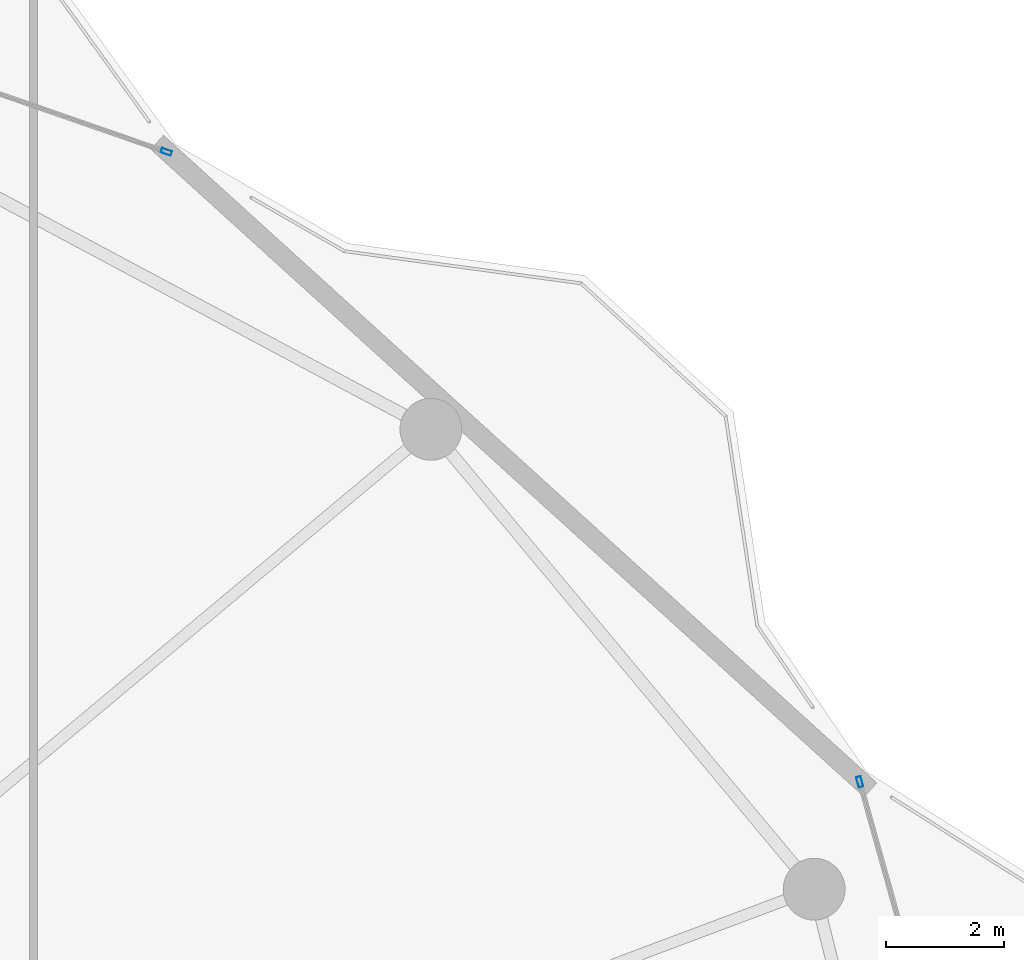
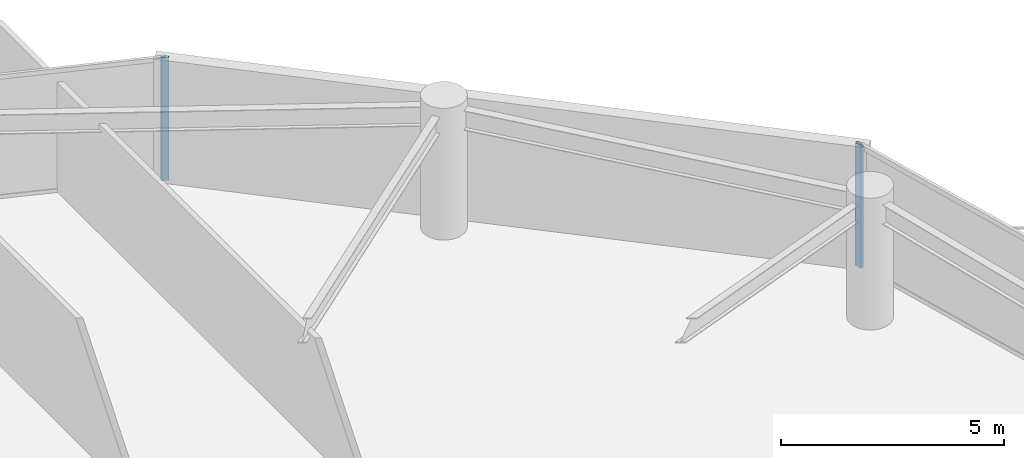
# One storey, part 21 of 29: 2 members, 2 elements without a shape of their own.
"""IFC4 building model written with IfcOpenShell, lengths in metres."""

from ifc_helpers import new_model, si_unit, direction, frame, origin, origin_2d, place, context, subcontext, project, spatial, hollow_rectangle, extrude, material, layer, layer_set, material_profile, profile_set, type_object, element, aggregate, save


model = new_model("IFC4")

# Units and contexts
model_context = context("Model", 3, precision=1e-05, world=origin(), true_north=direction((0.0, 1.0)))
body_context = subcontext(model_context, "Body", "Model", "MODEL_VIEW")
ifc_project = project(units=[si_unit("LENGTHUNIT", "METRE"), si_unit("AREAUNIT", "SQUARE_METRE"), si_unit("VOLUMEUNIT", "CUBIC_METRE"), si_unit("PLANEANGLEUNIT", "RADIAN"), si_unit("MASSUNIT", "GRAM", prefix="KILO")], contexts=[model_context])

# Site, building, storey
site_placement = place(None, origin())
site = spatial("IfcSite", under=ifc_project, at=site_placement, CompositionType="ELEMENT")
building_placement = place(site_placement, origin())
building = spatial("IfcBuilding", under=site, at=building_placement, Name="Kazevale Care Tower and Concert Hall", CompositionType="ELEMENT")
storey_placement = place(building_placement, frame((0.0, 0.0, 224.39990234375)))
storey = spatial("IfcBuildingStorey", under=building, at=storey_placement, Name="L59", CompositionType="ELEMENT", Elevation=224.39990234375)

# Curtain wall, member
ifc_material_1 = material(Name="Aluminium 6063-T6 and Low-E Glass", Category="aluminium")
ifc_layer_1 = layer(ifc_material_1, 0.179931640625)
ifc_layer_set_1 = layer_set([ifc_layer_1], Name="Aluminium 6063-T6 and Low-E Glass")
curtain_wall_type_1 = type_object("IfcCurtainWallType", Name="Convex Checkerboard Finned Curtain Wall CW-2", PredefinedType="NOTDEFINED", material=ifc_layer_set_1)
curtain_wall_1_placement = place(storey_placement, origin())
curtain_wall_1 = element("IfcCurtainWall", 1, at=curtain_wall_1_placement, inside=storey, type_object=curtain_wall_type_1, Name="cw:L59:f16", PredefinedType="NOTDEFINED")
ifc_material_2 = material(Name="Aluminium 6063-T6", Category="aluminium")
ifc_material_profile_1 = material_profile(ifc_material_2, hollow_rectangle(XDim=0.080078125, YDim=0.179931640625, WallThickness=0.0048828125, at=origin_2d()), Name="ALU80x180x5")
ifc_profile_set_1 = profile_set([ifc_material_profile_1], Name="Aluminium 6063-T6")
member_type_1 = type_object("IfcMemberType", Name="CW-2 Mullion ALU80x180x5", PredefinedType="MULLION", material=ifc_profile_set_1)
member_1_placement = place(storey_placement, frame((61.75732421875, 59.72216796875, 0.0), z_axis=(0.0, 0.0, 1.0), x_axis=(0.328583704497, 0.94447485363, 0.0)))
member_1 = element("IfcMember", 2, at=member_1_placement, type_object=member_type_1, Name="CW-2 mullion 2", PredefinedType="MULLION", context=body_context, shape_type="SweptSolid", body=[
    extrude(hollow_rectangle(XDim=0.080078125, YDim=0.179931640625, WallThickness=0.0048828125, at=origin_2d()), origin(), (0.0, 0.0, 1.0), 3.360107421875),
])
aggregate(curtain_wall_1, [member_1])

ifc_layer_2 = layer(ifc_material_1, 0.179931640625)
ifc_layer_set_2 = layer_set([ifc_layer_2], Name="Aluminium 6063-T6 and Low-E Glass")
curtain_wall_type_2 = type_object("IfcCurtainWallType", Name="Waist & Upper Residential Curtain Wall CW-4", PredefinedType="NOTDEFINED", material=ifc_layer_set_2)
curtain_wall_2_placement = place(storey_placement, origin())
curtain_wall_2 = element("IfcCurtainWall", 3, at=curtain_wall_2_placement, inside=storey, type_object=curtain_wall_type_2, Name="cw:L59:f18", PredefinedType="NOTDEFINED")
ifc_material_profile_2 = material_profile(ifc_material_2, hollow_rectangle(XDim=0.080078125, YDim=0.179931640625, WallThickness=0.0048828125, at=origin_2d()), Name="ALU80x180x5")
ifc_profile_set_2 = profile_set([ifc_material_profile_2], Name="Aluminium 6063-T6")
member_type_2 = type_object("IfcMemberType", Name="CW-4 Mullion ALU80x180x5", PredefinedType="MULLION", material=ifc_profile_set_2)
member_2_placement = place(storey_placement, frame((73.53369140625, 49.0234375, 0.0), z_axis=(0.0, 0.0, 1.0), x_axis=(0.962972156211, 0.269600864915, 0.0)))
member_2 = element("IfcMember", 4, at=member_2_placement, type_object=member_type_2, Name="CW-4 mullion 1", PredefinedType="MULLION", context=body_context, shape_type="SweptSolid", body=[
    extrude(hollow_rectangle(XDim=0.080078125, YDim=0.179931640625, WallThickness=0.0048828125, at=origin_2d()), origin(), (0.0, 0.0, 1.0), 3.360107421875),
])
aggregate(curtain_wall_2, [member_2])

save(model, "model.ifc")
